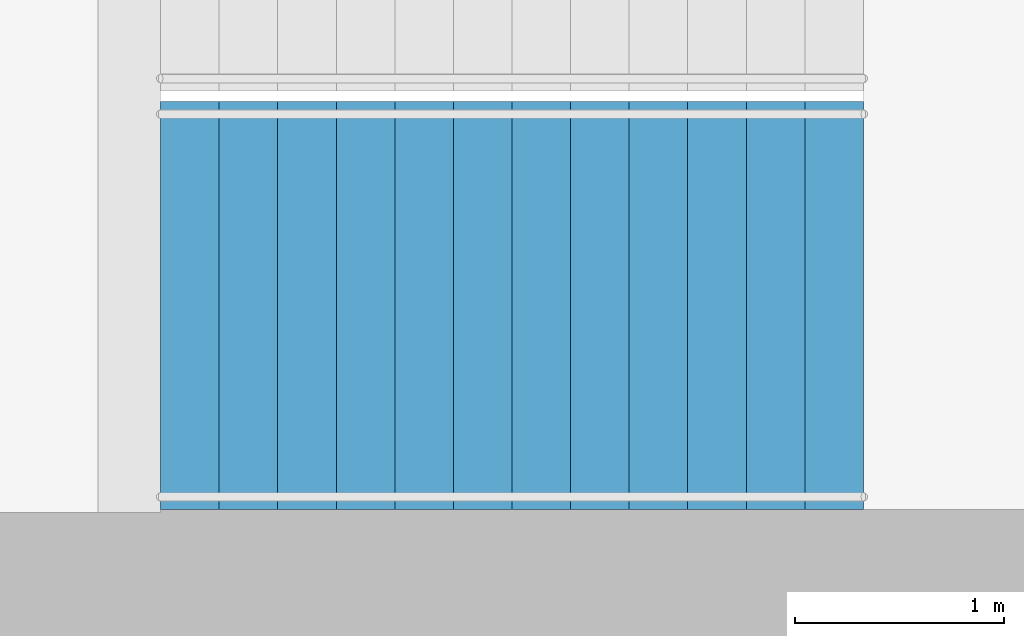
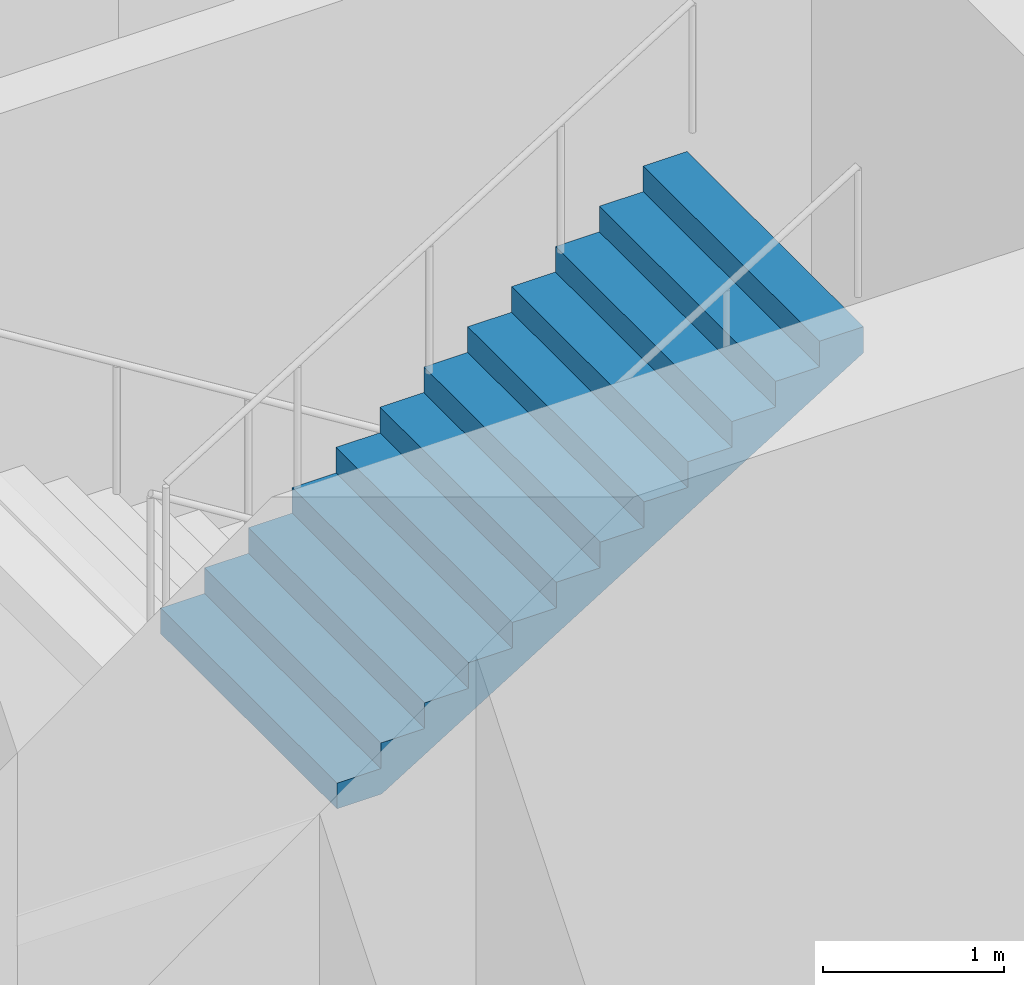
# One storey, part 10 of 16: 1 stair flight, 1 element without a shape of its own.
"""IFC4 building model written with IfcOpenShell, lengths in metres."""

from ifc_helpers import new_model, si_unit, direction, frame, origin, place, context, subcontext, project, spatial, triangles, material, type_object, element, aggregate, save


model = new_model("IFC4")

# Units and contexts
model_context = context("Model", 3, precision=1e-05, world=origin(), true_north=direction((0.0, 1.0)))
body_context = subcontext(model_context, "Body", "Model", "MODEL_VIEW")
ifc_project = project(units=[si_unit("LENGTHUNIT", "METRE"), si_unit("AREAUNIT", "SQUARE_METRE"), si_unit("VOLUMEUNIT", "CUBIC_METRE"), si_unit("PLANEANGLEUNIT", "RADIAN"), si_unit("MASSUNIT", "GRAM", prefix="KILO")], contexts=[model_context])

# Site, building, storey
site_placement = place(None, origin())
site = spatial("IfcSite", under=ifc_project, at=site_placement, CompositionType="ELEMENT")
building_placement = place(site_placement, origin())
building = spatial("IfcBuilding", under=site, at=building_placement, Name="Orbita Commons", CompositionType="ELEMENT")
storey_placement = place(building_placement, frame((0.0, 0.0, -4.5)))
storey = spatial("IfcBuildingStorey", under=building, at=storey_placement, Name="L-01", CompositionType="ELEMENT", Elevation=-4.5)

# Stair, stair flight
ifc_material_1 = material(Name="Precast concrete C40/50", Category="concrete")
stair_type = type_object("IfcStairType", Name="Exit stair S2 2 flights 13 risers 173", PredefinedType="HALF_TURN_STAIR", material=ifc_material_1)
stair_placement = place(storey_placement, origin())
stair = element("IfcStair", 1, at=stair_placement, inside=storey, type_object=stair_type, Name="Exit stair S2 L-01", PredefinedType="HALF_TURN_STAIR")
ifc_material_2 = material(Name="Precast concrete C40/50", Category="concrete")
stair_flight_type = type_object("IfcStairFlightType", Name="Stair flight 13 risers 173 x 280", PredefinedType="STRAIGHT", material=ifc_material_2)
stair_flight_placement = place(storey_placement, frame((60.18994140625, 27.27490234375, 2.25), z_axis=(0.0, 0.0, 1.0), x_axis=(1.0, 0.0, 0.0)))
stair_flight = element("IfcStairFlight", 2, at=stair_flight_placement, type_object=stair_flight_type, Name="S2 flight 2", NumberOfRisers=13, NumberOfTreads=12, PredefinedType="STRAIGHT", RiserHeight=0.173076923, TreadLength=0.28, context=body_context, shape_type="Tessellation", body=[
    triangles([(0.0, 0.974976, 0.0), (0.0, 0.974976, 0.021635), (0.0, 0.81248, 0.021635), (0.0, 0.81248, 0.0), (0.0, 0.649984, 0.021635), (0.0, 0.649984, 0.0), (0.0, 0.487488, 0.021635), (0.0, 0.487488, 0.0), (0.0, 0.324992, 0.021635), (0.0, 0.324992, 0.0), (0.0, 0.162496, 0.021635), (0.0, 0.162496, 0.0), (0.0, 0.0, 0.021635), (0.0, 0.0, 0.0), (0.0, -0.162496, 0.021635), (0.0, -0.162496, 0.0), (0.0, -0.324992, 0.021635), (0.0, -0.324992, 0.0), (0.0, -0.487488, 0.021635), (0.0, -0.487488, 0.0), (0.0, -0.649984, 0.021635), (0.0, -0.649984, 0.0), (0.0, -0.81248, 0.021635), (0.0, -0.81248, 0.0), (0.0, -0.974976, 0.021635), (0.0, -0.974976, 0.0), (0.0, 0.974976, 0.043269), (0.0, 0.81248, 0.043269), (0.0, 0.649984, 0.043269), (0.0, 0.487488, 0.043269), (0.0, 0.324992, 0.043269), (0.0, 0.162496, 0.043269), (0.0, 0.0, 0.043269), (0.0, -0.162496, 0.043269), (0.0, -0.324992, 0.043269), (0.0, -0.487488, 0.043269), (0.0, -0.649984, 0.043269), (0.0, -0.81248, 0.043269), (0.0, -0.974976, 0.043269), (0.0, 0.974976, 0.064904), (0.0, 0.81248, 0.064904), (0.0, 0.649984, 0.064904), (0.0, 0.487488, 0.064904), (0.0, 0.324992, 0.064904), (0.0, 0.162496, 0.064904), (0.0, 0.0, 0.064904), (0.0, -0.162496, 0.064904), (0.0, -0.324992, 0.064904), (0.0, -0.487488, 0.064904), (0.0, -0.649984, 0.064904), (0.0, -0.81248, 0.064904), (0.0, -0.974976, 0.064904), (0.0, 0.974976, 0.086538), (0.0, 0.81248, 0.086538), (0.0, 0.649984, 0.086538), (0.0, 0.487488, 0.086538), (0.0, 0.324992, 0.086538), (0.0, 0.162496, 0.086538), (0.0, 0.0, 0.086538), (0.0, -0.162496, 0.086538), (0.0, -0.324992, 0.086538), (0.0, -0.487488, 0.086538), (0.0, -0.649984, 0.086538), (0.0, -0.81248, 0.086538), (0.0, -0.974976, 0.086538), (0.0, 0.974976, 0.108173), (0.0, 0.81248, 0.108173), (0.0, 0.649984, 0.108173), (0.0, 0.487488, 0.108173), (0.0, 0.324992, 0.108173), (0.0, 0.162496, 0.108173), (0.0, 0.0, 0.108173), (0.0, -0.162496, 0.108173), (0.0, -0.324992, 0.108173), (0.0, -0.487488, 0.108173), (0.0, -0.649984, 0.108173), (0.0, -0.81248, 0.108173), (0.0, -0.974976, 0.108173), (0.0, 0.974976, 0.129808), (0.0, 0.81248, 0.129808), (0.0, 0.649984, 0.129808), (0.0, 0.487488, 0.129808), (0.0, 0.324992, 0.129808), (0.0, 0.162496, 0.129808), (0.0, 0.0, 0.129808), (0.0, -0.162496, 0.129808), (0.0, -0.324992, 0.129808), (0.0, -0.487488, 0.129808), (0.0, -0.649984, 0.129808), (0.0, -0.81248, 0.129808), (0.0, -0.974976, 0.129808), (0.0, 0.974976, 0.151442), (0.0, 0.81248, 0.151442), (0.0, 0.649984, 0.151442), (0.0, 0.487488, 0.151442), (0.0, 0.324992, 0.151442), (0.0, 0.162496, 0.151442), (0.0, 0.0, 0.151442), (0.0, -0.162496, 0.151442), (0.0, -0.324992, 0.151442), (0.0, -0.487488, 0.151442), (0.0, -0.649984, 0.151442), (0.0, -0.81248, 0.151442), (0.0, -0.974976, 0.151442), (0.0, 0.974976, 0.173077), (0.0, 0.81248, 0.173077), (0.0, 0.649984, 0.173077), (0.0, 0.487488, 0.173077), (0.0, 0.324992, 0.173077), (0.0, 0.162496, 0.173077), (0.0, 0.0, 0.173077), (0.0, -0.162496, 0.173077), (0.0, -0.324992, 0.173077), (0.0, -0.487488, 0.173077), (0.0, -0.649984, 0.173077), (0.0, -0.81248, 0.173077), (0.0, -0.974976, 0.173077), (0.28, 0.974976, 0.173077), (0.28, 0.81248, 0.173077), (0.28, 0.649984, 0.173077), (0.28, 0.487488, 0.173077), (0.28, 0.324992, 0.173077), (0.28, 0.162496, 0.173077), (0.28, 0.0, 0.173077), (0.28, -0.162496, 0.173077), (0.28, -0.324992, 0.173077), (0.28, -0.487488, 0.173077), (0.28, -0.649984, 0.173077), (0.28, -0.81248, 0.173077), (0.28, -0.974976, 0.173077), (0.28, 0.974976, 0.346154), (0.28, 0.81248, 0.346154), (0.28, 0.649984, 0.346154), (0.28, 0.487488, 0.346154), (0.28, 0.324992, 0.346154), (0.28, 0.162496, 0.346154), (0.28, 0.0, 0.346154), (0.28, -0.162496, 0.346154), (0.28, -0.324992, 0.346154), (0.28, -0.487488, 0.346154), (0.28, -0.649984, 0.346154), (0.28, -0.81248, 0.346154), (0.28, -0.974976, 0.346154), (0.56, 0.974976, 0.346154), (0.56, 0.81248, 0.346154), (0.56, 0.649984, 0.346154), (0.56, 0.487488, 0.346154), (0.56, 0.324992, 0.346154), (0.56, 0.162496, 0.346154), (0.56, 0.0, 0.346154), (0.56, -0.162496, 0.346154), (0.56, -0.324992, 0.346154), (0.56, -0.487488, 0.346154), (0.56, -0.649984, 0.346154), (0.56, -0.81248, 0.346154), (0.56, -0.974976, 0.346154), (0.56, 0.974976, 0.519231), (0.56, 0.81248, 0.519231), (0.56, 0.649984, 0.519231), (0.56, 0.487488, 0.519231), (0.56, 0.324992, 0.519231), (0.56, 0.162496, 0.519231), (0.56, 0.0, 0.519231), (0.56, -0.162496, 0.519231), (0.56, -0.324992, 0.519231), (0.56, -0.487488, 0.519231), (0.56, -0.649984, 0.519231), (0.56, -0.81248, 0.519231), (0.56, -0.974976, 0.519231), (0.84, 0.974976, 0.519231), (0.84, 0.81248, 0.519231), (0.84, 0.649984, 0.519231), (0.84, 0.487488, 0.519231), (0.84, 0.324992, 0.519231), (0.84, 0.162496, 0.519231), (0.84, 0.0, 0.519231), (0.84, -0.162496, 0.519231), (0.84, -0.324992, 0.519231), (0.84, -0.487488, 0.519231), (0.84, -0.649984, 0.519231), (0.84, -0.81248, 0.519231), (0.84, -0.974976, 0.519231), (0.84, 0.974976, 0.692308), (0.84, 0.81248, 0.692308), (0.84, 0.649984, 0.692308), (0.84, 0.487488, 0.692308), (0.84, 0.324992, 0.692308), (0.84, 0.162496, 0.692308), (0.84, 0.0, 0.692308), (0.84, -0.162496, 0.692308), (0.84, -0.324992, 0.692308), (0.84, -0.487488, 0.692308), (0.84, -0.649984, 0.692308), (0.84, -0.81248, 0.692308), (0.84, -0.974976, 0.692308), (1.12, 0.974976, 0.692308), (1.12, 0.81248, 0.692308), (1.12, 0.649984, 0.692308), (1.12, 0.487488, 0.692308), (1.12, 0.324992, 0.692308), (1.12, 0.162496, 0.692308), (1.12, 0.0, 0.692308), (1.12, -0.162496, 0.692308), (1.12, -0.324992, 0.692308), (1.12, -0.487488, 0.692308), (1.12, -0.649984, 0.692308), (1.12, -0.81248, 0.692308), (1.12, -0.974976, 0.692308), (1.12, 0.974976, 0.865385), (1.12, 0.81248, 0.865385), (1.12, 0.649984, 0.865385), (1.12, 0.487488, 0.865385), (1.12, 0.324992, 0.865385), (1.12, 0.162496, 0.865385), (1.12, 0.0, 0.865385), (1.12, -0.162496, 0.865385), (1.12, -0.324992, 0.865385), (1.12, -0.487488, 0.865385), (1.12, -0.649984, 0.865385), (1.12, -0.81248, 0.865385), (1.12, -0.974976, 0.865385), (1.4, 0.974976, 0.865385), (1.4, 0.81248, 0.865385), (1.4, 0.649984, 0.865385), (1.4, 0.487488, 0.865385), (1.4, 0.324992, 0.865385), (1.4, 0.162496, 0.865385), (1.4, 0.0, 0.865385), (1.4, -0.162496, 0.865385), (1.4, -0.324992, 0.865385), (1.4, -0.487488, 0.865385), (1.4, -0.649984, 0.865385), (1.4, -0.81248, 0.865385), (1.4, -0.974976, 0.865385), (1.4, 0.974976, 1.038462), (1.4, 0.81248, 1.038462), (1.4, 0.649984, 1.038462), (1.4, 0.487488, 1.038462), (1.4, 0.324992, 1.038462), (1.4, 0.162496, 1.038462), (1.4, 0.0, 1.038462), (1.4, -0.162496, 1.038462), (1.4, -0.324992, 1.038462), (1.4, -0.487488, 1.038462), (1.4, -0.649984, 1.038462), (1.4, -0.81248, 1.038462), (1.4, -0.974976, 1.038462), (1.68, 0.974976, 1.038462), (1.68, 0.81248, 1.038462), (1.68, 0.649984, 1.038462), (1.68, 0.487488, 1.038462), (1.68, 0.324992, 1.038462), (1.68, 0.162496, 1.038462), (1.68, 0.0, 1.038462), (1.68, -0.162496, 1.038462), (1.68, -0.324992, 1.038462), (1.68, -0.487488, 1.038462), (1.68, -0.649984, 1.038462), (1.68, -0.81248, 1.038462), (1.68, -0.974976, 1.038462), (1.68, 0.974976, 1.211538), (1.68, 0.81248, 1.211538), (1.68, 0.649984, 1.211538), (1.68, 0.487488, 1.211538), (1.68, 0.324992, 1.211538), (1.68, 0.162496, 1.211538), (1.68, 0.0, 1.211538), (1.68, -0.162496, 1.211538), (1.68, -0.324992, 1.211538), (1.68, -0.487488, 1.211538), (1.68, -0.649984, 1.211538), (1.68, -0.81248, 1.211538), (1.68, -0.974976, 1.211538), (1.96, 0.974976, 1.211538), (1.96, 0.81248, 1.211538), (1.96, 0.649984, 1.211538), (1.96, 0.487488, 1.211538), (1.96, 0.324992, 1.211538), (1.96, 0.162496, 1.211538), (1.96, 0.0, 1.211538), (1.96, -0.162496, 1.211538), (1.96, -0.324992, 1.211538), (1.96, -0.487488, 1.211538), (1.96, -0.649984, 1.211538), (1.96, -0.81248, 1.211538), (1.96, -0.974976, 1.211538), (1.96, 0.974976, 1.384615), (1.96, 0.81248, 1.384615), (1.96, 0.649984, 1.384615), (1.96, 0.487488, 1.384615), (1.96, 0.324992, 1.384615), (1.96, 0.162496, 1.384615), (1.96, 0.0, 1.384615), (1.96, -0.162496, 1.384615), (1.96, -0.324992, 1.384615), (1.96, -0.487488, 1.384615), (1.96, -0.649984, 1.384615), (1.96, -0.81248, 1.384615), (1.96, -0.974976, 1.384615), (2.24, 0.974976, 1.384615), (2.24, 0.81248, 1.384615), (2.24, 0.649984, 1.384615), (2.24, 0.487488, 1.384615), (2.24, 0.324992, 1.384615), (2.24, 0.162496, 1.384615), (2.24, 0.0, 1.384615), (2.24, -0.162496, 1.384615), (2.24, -0.324992, 1.384615), (2.24, -0.487488, 1.384615), (2.24, -0.649984, 1.384615), (2.24, -0.81248, 1.384615), (2.24, -0.974976, 1.384615), (2.24, 0.974976, 1.557692), (2.24, 0.81248, 1.557692), (2.24, 0.649984, 1.557692), (2.24, 0.487488, 1.557692), (2.24, 0.324992, 1.557692), (2.24, 0.162496, 1.557692), (2.24, 0.0, 1.557692), (2.24, -0.162496, 1.557692), (2.24, -0.324992, 1.557692), (2.24, -0.487488, 1.557692), (2.24, -0.649984, 1.557692), (2.24, -0.81248, 1.557692), (2.24, -0.974976, 1.557692), (2.52, 0.974976, 1.557692), (2.52, 0.81248, 1.557692), (2.52, 0.649984, 1.557692), (2.52, 0.487488, 1.557692), (2.52, 0.324992, 1.557692), (2.52, 0.162496, 1.557692), (2.52, 0.0, 1.557692), (2.52, -0.162496, 1.557692), (2.52, -0.324992, 1.557692), (2.52, -0.487488, 1.557692), (2.52, -0.649984, 1.557692), (2.52, -0.81248, 1.557692), (2.52, -0.974976, 1.557692), (2.52, 0.974976, 1.730769), (2.52, 0.81248, 1.730769), (2.52, 0.649984, 1.730769), (2.52, 0.487488, 1.730769), (2.52, 0.324992, 1.730769), (2.52, 0.162496, 1.730769), (2.52, 0.0, 1.730769), (2.52, -0.162496, 1.730769), (2.52, -0.324992, 1.730769), (2.52, -0.487488, 1.730769), (2.52, -0.649984, 1.730769), (2.52, -0.81248, 1.730769), (2.52, -0.974976, 1.730769), (2.8, 0.974976, 1.730769), (2.8, 0.81248, 1.730769), (2.8, 0.649984, 1.730769), (2.8, 0.487488, 1.730769), (2.8, 0.324992, 1.730769), (2.8, 0.162496, 1.730769), (2.8, 0.0, 1.730769), (2.8, -0.162496, 1.730769), (2.8, -0.324992, 1.730769), (2.8, -0.487488, 1.730769), (2.8, -0.649984, 1.730769), (2.8, -0.81248, 1.730769), (2.8, -0.974976, 1.730769), (2.8, 0.974976, 1.903846), (2.8, 0.81248, 1.903846), (2.8, 0.649984, 1.903846), (2.8, 0.487488, 1.903846), (2.8, 0.324992, 1.903846), (2.8, 0.162496, 1.903846), (2.8, 0.0, 1.903846), (2.8, -0.162496, 1.903846), (2.8, -0.324992, 1.903846), (2.8, -0.487488, 1.903846), (2.8, -0.649984, 1.903846), (2.8, -0.81248, 1.903846), (2.8, -0.974976, 1.903846), (3.08, 0.974976, 1.903846), (3.08, 0.81248, 1.903846), (3.08, 0.649984, 1.903846), (3.08, 0.487488, 1.903846), (3.08, 0.324992, 1.903846), (3.08, 0.162496, 1.903846), (3.08, 0.0, 1.903846), (3.08, -0.162496, 1.903846), (3.08, -0.324992, 1.903846), (3.08, -0.487488, 1.903846), (3.08, -0.649984, 1.903846), (3.08, -0.81248, 1.903846), (3.08, -0.974976, 1.903846), (3.08, 0.974976, 2.076923), (3.08, 0.81248, 2.076923), (3.08, 0.649984, 2.076923), (3.08, 0.487488, 2.076923), (3.08, 0.324992, 2.076923), (3.08, 0.162496, 2.076923), (3.08, 0.0, 2.076923), (3.08, -0.162496, 2.076923), (3.08, -0.324992, 2.076923), (3.08, -0.487488, 2.076923), (3.08, -0.649984, 2.076923), (3.08, -0.81248, 2.076923), (3.08, -0.974976, 2.076923), (3.36, 0.974976, 2.076923), (3.36, 0.81248, 2.076923), (3.36, 0.649984, 2.076923), (3.36, 0.487488, 2.076923), (3.36, 0.324992, 2.076923), (3.36, 0.162496, 2.076923), (3.36, 0.0, 2.076923), (3.36, -0.162496, 2.076923), (3.36, -0.324992, 2.076923), (3.36, -0.487488, 2.076923), (3.36, -0.649984, 2.076923), (3.36, -0.81248, 2.076923), (3.36, -0.974976, 2.076923), (3.36, 0.974976, 2.054895), (3.36, 0.81248, 2.054895), (3.36, 0.649984, 2.054895), (3.36, 0.487488, 2.054895), (3.36, 0.324992, 2.054895), (3.36, 0.162496, 2.054895), (3.36, 0.0, 2.054895), (3.36, -0.162496, 2.054895), (3.36, -0.324992, 2.054895), (3.36, -0.487488, 2.054895), (3.36, -0.649984, 2.054895), (3.36, -0.81248, 2.054895), (3.36, -0.974976, 2.054895), (3.36, 0.974976, 2.032866), (3.36, 0.81248, 2.032866), (3.36, 0.649984, 2.032866), (3.36, 0.487488, 2.032866), (3.36, 0.324992, 2.032866), (3.36, 0.162496, 2.032866), (3.36, 0.0, 2.032866), (3.36, -0.162496, 2.032866), (3.36, -0.324992, 2.032866), (3.36, -0.487488, 2.032866), (3.36, -0.649984, 2.032866), (3.36, -0.81248, 2.032866), (3.36, -0.974976, 2.032866), (3.36, 0.974976, 2.010837), (3.36, 0.81248, 2.010837), (3.36, 0.649984, 2.010837), (3.36, 0.487488, 2.010837), (3.36, 0.324992, 2.010837), (3.36, 0.162496, 2.010837), (3.36, 0.0, 2.010837), (3.36, -0.162496, 2.010837), (3.36, -0.324992, 2.010837), (3.36, -0.487488, 2.010837), (3.36, -0.649984, 2.010837), (3.36, -0.81248, 2.010837), (3.36, -0.974976, 2.010837), (3.36, 0.974976, 1.988809), (3.36, 0.81248, 1.988809), (3.36, 0.649984, 1.988809), (3.36, 0.487488, 1.988809), (3.36, 0.324992, 1.988809), (3.36, 0.162496, 1.988809), (3.36, 0.0, 1.988809), (3.36, -0.162496, 1.988809), (3.36, -0.324992, 1.988809), (3.36, -0.487488, 1.988809), (3.36, -0.649984, 1.988809), (3.36, -0.81248, 1.988809), (3.36, -0.974976, 1.988809), (3.36, 0.974976, 1.96678), (3.36, 0.81248, 1.96678), (3.36, 0.649984, 1.96678), (3.36, 0.487488, 1.96678), (3.36, 0.324992, 1.96678), (3.36, 0.162496, 1.96678), (3.36, 0.0, 1.96678), (3.36, -0.162496, 1.96678), (3.36, -0.324992, 1.96678), (3.36, -0.487488, 1.96678), (3.36, -0.649984, 1.96678), (3.36, -0.81248, 1.96678), (3.36, -0.974976, 1.96678), (3.36, 0.974976, 1.944752), (3.36, 0.81248, 1.944752), (3.36, 0.649984, 1.944752), (3.36, 0.487488, 1.944752), (3.36, 0.324992, 1.944752), (3.36, 0.162496, 1.944752), (3.36, 0.0, 1.944752), (3.36, -0.162496, 1.944752), (3.36, -0.324992, 1.944752), (3.36, -0.487488, 1.944752), (3.36, -0.649984, 1.944752), (3.36, -0.81248, 1.944752), (3.36, -0.974976, 1.944752), (3.36, 0.974976, 1.922723), (3.36, 0.81248, 1.922723), (3.36, 0.649984, 1.922723), (3.36, 0.487488, 1.922723), (3.36, 0.324992, 1.922723), (3.36, 0.162496, 1.922723), (3.36, 0.0, 1.922723), (3.36, -0.162496, 1.922723), (3.36, -0.324992, 1.922723), (3.36, -0.487488, 1.922723), (3.36, -0.649984, 1.922723), (3.36, -0.81248, 1.922723), (3.36, -0.974976, 1.922723), (3.36, 0.974976, 1.900695), (3.36, 0.81248, 1.900695), (3.36, 0.649984, 1.900695), (3.36, 0.487488, 1.900695), (3.36, 0.324992, 1.900695), (3.36, 0.162496, 1.900695), (3.36, 0.0, 1.900695), (3.36, -0.162496, 1.900695), (3.36, -0.324992, 1.900695), (3.36, -0.487488, 1.900695), (3.36, -0.649984, 1.900695), (3.36, -0.81248, 1.900695), (3.36, -0.974976, 1.900695), (0.285099, 0.974976, 0.0), (0.285099, 0.81248, 0.0), (0.285099, 0.649984, 0.0), (0.285099, 0.487488, 0.0), (0.285099, 0.324992, 0.0), (0.285099, 0.162496, 0.0), (0.285099, 0.0, 0.0), (0.285099, -0.162496, 0.0), (0.285099, -0.324992, 0.0), (0.285099, -0.487488, 0.0), (0.285099, -0.649984, 0.0), (0.285099, -0.81248, 0.0), (0.285099, -0.974976, 0.0)], [[3, 2, 1], [4, 3, 1], [5, 3, 4], [6, 5, 4], [7, 5, 6], [8, 7, 6], [9, 7, 8], [10, 9, 8], [11, 9, 10], [12, 11, 10], [13, 11, 12], [14, 13, 12], [15, 13, 14], [16, 15, 14], [17, 15, 16], [18, 17, 16], [19, 17, 18], [20, 19, 18], [21, 19, 20], [22, 21, 20], [23, 21, 22], [24, 23, 22], [25, 23, 24], [26, 25, 24], [28, 27, 2], [3, 28, 2], [29, 28, 3], [5, 29, 3], [30, 29, 5], [7, 30, 5], [31, 30, 7], [9, 31, 7], [32, 31, 9], [11, 32, 9], [33, 32, 11], [13, 33, 11], [34, 33, 13], [15, 34, 13], [35, 34, 15], [17, 35, 15], [36, 35, 17], [19, 36, 17], [37, 36, 19], [21, 37, 19], [38, 37, 21], [23, 38, 21], [39, 38, 23], [25, 39, 23], [41, 40, 27], [28, 41, 27], [42, 41, 28], [29, 42, 28], [43, 42, 29], [30, 43, 29], [44, 43, 30], [31, 44, 30], [45, 44, 31], [32, 45, 31], [46, 45, 32], [33, 46, 32], [47, 46, 33], [34, 47, 33], [48, 47, 34], [35, 48, 34], [49, 48, 35], [36, 49, 35], [50, 49, 36], [37, 50, 36], [51, 50, 37], [38, 51, 37], [52, 51, 38], [39, 52, 38], [54, 53, 40], [41, 54, 40], [55, 54, 41], [42, 55, 41], [56, 55, 42], [43, 56, 42], [57, 56, 43], [44, 57, 43], [58, 57, 44], [45, 58, 44], [59, 58, 45], [46, 59, 45], [60, 59, 46], [47, 60, 46], [61, 60, 47], [48, 61, 47], [62, 61, 48], [49, 62, 48], [63, 62, 49], [50, 63, 49], [64, 63, 50], [51, 64, 50], [65, 64, 51], [52, 65, 51], [67, 66, 53], [54, 67, 53], [68, 67, 54], [55, 68, 54], [69, 68, 55], [56, 69, 55], [70, 69, 56], [57, 70, 56], [71, 70, 57], [58, 71, 57], [72, 71, 58], [59, 72, 58], [73, 72, 59], [60, 73, 59], [74, 73, 60], [61, 74, 60], [75, 74, 61], [62, 75, 61], [76, 75, 62], [63, 76, 62], [77, 76, 63], [64, 77, 63], [78, 77, 64], [65, 78, 64], [80, 79, 66], [67, 80, 66], [81, 80, 67], [68, 81, 67], [82, 81, 68], [69, 82, 68], [83, 82, 69], [70, 83, 69], [84, 83, 70], [71, 84, 70], [85, 84, 71], [72, 85, 71], [86, 85, 72], [73, 86, 72], [87, 86, 73], [74, 87, 73], [88, 87, 74], [75, 88, 74], [89, 88, 75], [76, 89, 75], [90, 89, 76], [77, 90, 76], [91, 90, 77], [78, 91, 77], [93, 92, 79], [80, 93, 79], [94, 93, 80], [81, 94, 80], [95, 94, 81], [82, 95, 81], [96, 95, 82], [83, 96, 82], [97, 96, 83], [84, 97, 83], [98, 97, 84], [85, 98, 84], [99, 98, 85], [86, 99, 85], [100, 99, 86], [87, 100, 86], [101, 100, 87], [88, 101, 87], [102, 101, 88], [89, 102, 88], [103, 102, 89], [90, 103, 89], [104, 103, 90], [91, 104, 90], [106, 105, 92], [93, 106, 92], [107, 106, 93], [94, 107, 93], [108, 107, 94], [95, 108, 94], [109, 108, 95], [96, 109, 95], [110, 109, 96], [97, 110, 96], [111, 110, 97], [98, 111, 97], [112, 111, 98], [99, 112, 98], [113, 112, 99], [100, 113, 99], [114, 113, 100], [101, 114, 100], [115, 114, 101], [102, 115, 101], [116, 115, 102], [103, 116, 102], [117, 116, 103], [104, 117, 103], [119, 118, 105], [106, 119, 105], [120, 119, 106], [107, 120, 106], [121, 120, 107], [108, 121, 107], [122, 121, 108], [109, 122, 108], [123, 122, 109], [110, 123, 109], [124, 123, 110], [111, 124, 110], [125, 124, 111], [112, 125, 111], [126, 125, 112], [113, 126, 112], [127, 126, 113], [114, 127, 113], [128, 127, 114], [115, 128, 114], [129, 128, 115], [116, 129, 115], [130, 129, 116], [117, 130, 116], [132, 131, 118], [119, 132, 118], [133, 132, 119], [120, 133, 119], [134, 133, 120], [121, 134, 120], [135, 134, 121], [122, 135, 121], [136, 135, 122], [123, 136, 122], [137, 136, 123], [124, 137, 123], [138, 137, 124], [125, 138, 124], [139, 138, 125], [126, 139, 125], [140, 139, 126], [127, 140, 126], [141, 140, 127], [128, 141, 127], [142, 141, 128], [129, 142, 128], [143, 142, 129], [130, 143, 129], [145, 144, 131], [132, 145, 131], [146, 145, 132], [133, 146, 132], [147, 146, 133], [134, 147, 133], [148, 147, 134], [135, 148, 134], [149, 148, 135], [136, 149, 135], [150, 149, 136], [137, 150, 136], [151, 150, 137], [138, 151, 137], [152, 151, 138], [139, 152, 138], [153, 152, 139], [140, 153, 139], [154, 153, 140], [141, 154, 140], [155, 154, 141], [142, 155, 141], [156, 155, 142], [143, 156, 142], [158, 157, 144], [145, 158, 144], [159, 158, 145], [146, 159, 145], [160, 159, 146], [147, 160, 146], [161, 160, 147], [148, 161, 147], [162, 161, 148], [149, 162, 148], [163, 162, 149], [150, 163, 149], [164, 163, 150], [151, 164, 150], [165, 164, 151], [152, 165, 151], [166, 165, 152], [153, 166, 152], [167, 166, 153], [154, 167, 153], [168, 167, 154], [155, 168, 154], [169, 168, 155], [156, 169, 155], [171, 170, 157], [158, 171, 157], [172, 171, 158], [159, 172, 158], [173, 172, 159], [160, 173, 159], [174, 173, 160], [161, 174, 160], [175, 174, 161], [162, 175, 161], [176, 175, 162], [163, 176, 162], [177, 176, 163], [164, 177, 163], [178, 177, 164], [165, 178, 164], [179, 178, 165], [166, 179, 165], [180, 179, 166], [167, 180, 166], [181, 180, 167], [168, 181, 167], [182, 181, 168], [169, 182, 168], [184, 183, 170], [171, 184, 170], [185, 184, 171], [172, 185, 171], [186, 185, 172], [173, 186, 172], [187, 186, 173], [174, 187, 173], [188, 187, 174], [175, 188, 174], [189, 188, 175], [176, 189, 175], [190, 189, 176], [177, 190, 176], [191, 190, 177], [178, 191, 177], [192, 191, 178], [179, 192, 178], [193, 192, 179], [180, 193, 179], [194, 193, 180], [181, 194, 180], [195, 194, 181], [182, 195, 181], [197, 196, 183], [184, 197, 183], [198, 197, 184], [185, 198, 184], [199, 198, 185], [186, 199, 185], [200, 199, 186], [187, 200, 186], [201, 200, 187], [188, 201, 187], [202, 201, 188], [189, 202, 188], [203, 202, 189], [190, 203, 189], [204, 203, 190], [191, 204, 190], [205, 204, 191], [192, 205, 191], [206, 205, 192], [193, 206, 192], [207, 206, 193], [194, 207, 193], [208, 207, 194], [195, 208, 194], [210, 209, 196], [197, 210, 196], [211, 210, 197], [198, 211, 197], [212, 211, 198], [199, 212, 198], [213, 212, 199], [200, 213, 199], [214, 213, 200], [201, 214, 200], [215, 214, 201], [202, 215, 201], [216, 215, 202], [203, 216, 202], [217, 216, 203], [204, 217, 203], [218, 217, 204], [205, 218, 204], [219, 218, 205], [206, 219, 205], [220, 219, 206], [207, 220, 206], [221, 220, 207], [208, 221, 207], [223, 222, 209], [210, 223, 209], [224, 223, 210], [211, 224, 210], [225, 224, 211], [212, 225, 211], [226, 225, 212], [213, 226, 212], [227, 226, 213], [214, 227, 213], [228, 227, 214], [215, 228, 214], [229, 228, 215], [216, 229, 215], [230, 229, 216], [217, 230, 216], [231, 230, 217], [218, 231, 217], [232, 231, 218], [219, 232, 218], [233, 232, 219], [220, 233, 219], [234, 233, 220], [221, 234, 220], [236, 235, 222], [223, 236, 222], [237, 236, 223], [224, 237, 223], [238, 237, 224], [225, 238, 224], [239, 238, 225], [226, 239, 225], [240, 239, 226], [227, 240, 226], [241, 240, 227], [228, 241, 227], [242, 241, 228], [229, 242, 228], [243, 242, 229], [230, 243, 229], [244, 243, 230], [231, 244, 230], [245, 244, 231], [232, 245, 231], [246, 245, 232], [233, 246, 232], [247, 246, 233], [234, 247, 233], [249, 248, 235], [236, 249, 235], [250, 249, 236], [237, 250, 236], [251, 250, 237], [238, 251, 237], [252, 251, 238], [239, 252, 238], [253, 252, 239], [240, 253, 239], [254, 253, 240], [241, 254, 240], [255, 254, 241], [242, 255, 241], [256, 255, 242], [243, 256, 242], [257, 256, 243], [244, 257, 243], [258, 257, 244], [245, 258, 244], [259, 258, 245], [246, 259, 245], [260, 259, 246], [247, 260, 246], [262, 261, 248], [249, 262, 248], [263, 262, 249], [250, 263, 249], [264, 263, 250], [251, 264, 250], [265, 264, 251], [252, 265, 251], [266, 265, 252], [253, 266, 252], [267, 266, 253], [254, 267, 253], [268, 267, 254], [255, 268, 254], [269, 268, 255], [256, 269, 255], [270, 269, 256], [257, 270, 256], [271, 270, 257], [258, 271, 257], [272, 271, 258], [259, 272, 258], [273, 272, 259], [260, 273, 259], [275, 274, 261], [262, 275, 261], [276, 275, 262], [263, 276, 262], [277, 276, 263], [264, 277, 263], [278, 277, 264], [265, 278, 264], [279, 278, 265], [266, 279, 265], [280, 279, 266], [267, 280, 266], [281, 280, 267], [268, 281, 267], [282, 281, 268], [269, 282, 268], [283, 282, 269], [270, 283, 269], [284, 283, 270], [271, 284, 270], [285, 284, 271], [272, 285, 271], [286, 285, 272], [273, 286, 272], [288, 287, 274], [275, 288, 274], [289, 288, 275], [276, 289, 275], [290, 289, 276], [277, 290, 276], [291, 290, 277], [278, 291, 277], [292, 291, 278], [279, 292, 278], [293, 292, 279], [280, 293, 279], [294, 293, 280], [281, 294, 280], [295, 294, 281], [282, 295, 281], [296, 295, 282], [283, 296, 282], [297, 296, 283], [284, 297, 283], [298, 297, 284], [285, 298, 284], [299, 298, 285], [286, 299, 285], [301, 300, 287], [288, 301, 287], [302, 301, 288], [289, 302, 288], [303, 302, 289], [290, 303, 289], [304, 303, 290], [291, 304, 290], [305, 304, 291], [292, 305, 291], [306, 305, 292], [293, 306, 292], [307, 306, 293], [294, 307, 293], [308, 307, 294], [295, 308, 294], [309, 308, 295], [296, 309, 295], [310, 309, 296], [297, 310, 296], [311, 310, 297], [298, 311, 297], [312, 311, 298], [299, 312, 298], [314, 313, 300], [301, 314, 300], [315, 314, 301], [302, 315, 301], [316, 315, 302], [303, 316, 302], [317, 316, 303], [304, 317, 303], [318, 317, 304], [305, 318, 304], [319, 318, 305], [306, 319, 305], [320, 319, 306], [307, 320, 306], [321, 320, 307], [308, 321, 307], [322, 321, 308], [309, 322, 308], [323, 322, 309], [310, 323, 309], [324, 323, 310], [311, 324, 310], [325, 324, 311], [312, 325, 311], [327, 326, 313], [314, 327, 313], [328, 327, 314], [315, 328, 314], [329, 328, 315], [316, 329, 315], [330, 329, 316], [317, 330, 316], [331, 330, 317], [318, 331, 317], [332, 331, 318], [319, 332, 318], [333, 332, 319], [320, 333, 319], [334, 333, 320], [321, 334, 320], [335, 334, 321], [322, 335, 321], [336, 335, 322], [323, 336, 322], [337, 336, 323], [324, 337, 323], [338, 337, 324], [325, 338, 324], [340, 339, 326], [327, 340, 326], [341, 340, 327], [328, 341, 327], [342, 341, 328], [329, 342, 328], [343, 342, 329], [330, 343, 329], [344, 343, 330], [331, 344, 330], [345, 344, 331], [332, 345, 331], [346, 345, 332], [333, 346, 332], [347, 346, 333], [334, 347, 333], [348, 347, 334], [335, 348, 334], [349, 348, 335], [336, 349, 335], [350, 349, 336], [337, 350, 336], [351, 350, 337], [338, 351, 337], [353, 352, 339], [340, 353, 339], [354, 353, 340], [341, 354, 340], [355, 354, 341], [342, 355, 341], [356, 355, 342], [343, 356, 342], [357, 356, 343], [344, 357, 343], [358, 357, 344], [345, 358, 344], [359, 358, 345], [346, 359, 345], [360, 359, 346], [347, 360, 346], [361, 360, 347], [348, 361, 347], [362, 361, 348], [349, 362, 348], [363, 362, 349], [350, 363, 349], [364, 363, 350], [351, 364, 350], [366, 365, 352], [353, 366, 352], [367, 366, 353], [354, 367, 353], [368, 367, 354], [355, 368, 354], [369, 368, 355], [356, 369, 355], [370, 369, 356], [357, 370, 356], [371, 370, 357], [358, 371, 357], [372, 371, 358], [359, 372, 358], [373, 372, 359], [360, 373, 359], [374, 373, 360], [361, 374, 360], [375, 374, 361], [362, 375, 361], [376, 375, 362], [363, 376, 362], [377, 376, 363], [364, 377, 363], [379, 378, 365], [366, 379, 365], [380, 379, 366], [367, 380, 366], [381, 380, 367], [368, 381, 367], [382, 381, 368], [369, 382, 368], [383, 382, 369], [370, 383, 369], [384, 383, 370], [371, 384, 370], [385, 384, 371], [372, 385, 371], [386, 385, 372], [373, 386, 372], [387, 386, 373], [374, 387, 373], [388, 387, 374], [375, 388, 374], [389, 388, 375], [376, 389, 375], [390, 389, 376], [377, 390, 376], [392, 391, 378], [379, 392, 378], [393, 392, 379], [380, 393, 379], [394, 393, 380], [381, 394, 380], [395, 394, 381], [382, 395, 381], [396, 395, 382], [383, 396, 382], [397, 396, 383], [384, 397, 383], [398, 397, 384], [385, 398, 384], [399, 398, 385], [386, 399, 385], [400, 399, 386], [387, 400, 386], [401, 400, 387], [388, 401, 387], [402, 401, 388], [389, 402, 388], [403, 402, 389], [390, 403, 389], [405, 404, 391], [392, 405, 391], [406, 405, 392], [393, 406, 392], [407, 406, 393], [394, 407, 393], [408, 407, 394], [395, 408, 394], [409, 408, 395], [396, 409, 395], [410, 409, 396], [397, 410, 396], [411, 410, 397], [398, 411, 397], [412, 411, 398], [399, 412, 398], [413, 412, 399], [400, 413, 399], [414, 413, 400], [401, 414, 400], [415, 414, 401], [402, 415, 401], [416, 415, 402], [403, 416, 402], [418, 417, 404], [405, 418, 404], [419, 418, 405], [406, 419, 405], [420, 419, 406], [407, 420, 406], [421, 420, 407], [408, 421, 407], [422, 421, 408], [409, 422, 408], [423, 422, 409], [410, 423, 409], [424, 423, 410], [411, 424, 410], [425, 424, 411], [412, 425, 411], [426, 425, 412], [413, 426, 412], [427, 426, 413], [414, 427, 413], [428, 427, 414], [415, 428, 414], [429, 428, 415], [416, 429, 415], [431, 430, 417], [418, 431, 417], [432, 431, 418], [419, 432, 418], [433, 432, 419], [420, 433, 419], [434, 433, 420], [421, 434, 420], [435, 434, 421], [422, 435, 421], [436, 435, 422], [423, 436, 422], [437, 436, 423], [424, 437, 423], [438, 437, 424], [425, 438, 424], [439, 438, 425], [426, 439, 425], [440, 439, 426], [427, 440, 426], [441, 440, 427], [428, 441, 427], [442, 441, 428], [429, 442, 428], [444, 443, 430], [431, 444, 430], [445, 444, 431], [432, 445, 431], [446, 445, 432], [433, 446, 432], [447, 446, 433], [434, 447, 433], [448, 447, 434], [435, 448, 434], [449, 448, 435], [436, 449, 435], [450, 449, 436], [437, 450, 436], [451, 450, 437], [438, 451, 437], [452, 451, 438], [439, 452, 438], [453, 452, 439], [440, 453, 439], [454, 453, 440], [441, 454, 440], [455, 454, 441], [442, 455, 441], [457, 456, 443], [444, 457, 443], [458, 457, 444], [445, 458, 444], [459, 458, 445], [446, 459, 445], [460, 459, 446], [447, 460, 446], [461, 460, 447], [448, 461, 447], [462, 461, 448], [449, 462, 448], [463, 462, 449], [450, 463, 449], [464, 463, 450], [451, 464, 450], [465, 464, 451], [452, 465, 451], [466, 465, 452], [453, 466, 452], [467, 466, 453], [454, 467, 453], [468, 467, 454], [455, 468, 454], [470, 469, 456], [457, 470, 456], [471, 470, 457], [458, 471, 457], [472, 471, 458], [459, 472, 458], [473, 472, 459], [460, 473, 459], [474, 473, 460], [461, 474, 460], [475, 474, 461], [462, 475, 461], [476, 475, 462], [463, 476, 462], [477, 476, 463], [464, 477, 463], [478, 477, 464], [465, 478, 464], [479, 478, 465], [466, 479, 465], [480, 479, 466], [467, 480, 466], [481, 480, 467], [468, 481, 467], [483, 482, 469], [470, 483, 469], [484, 483, 470], [471, 484, 470], [485, 484, 471], [472, 485, 471], [486, 485, 472], [473, 486, 472], [487, 486, 473], [474, 487, 473], [488, 487, 474], [475, 488, 474], [489, 488, 475], [476, 489, 475], [490, 489, 476], [477, 490, 476], [491, 490, 477], [478, 491, 477], [492, 491, 478], [479, 492, 478], [493, 492, 479], [480, 493, 479], [494, 493, 480], [481, 494, 480], [496, 495, 482], [483, 496, 482], [497, 496, 483], [484, 497, 483], [498, 497, 484], [485, 498, 484], [499, 498, 485], [486, 499, 485], [500, 499, 486], [487, 500, 486], [501, 500, 487], [488, 501, 487], [502, 501, 488], [489, 502, 488], [503, 502, 489], [490, 503, 489], [504, 503, 490], [491, 504, 490], [505, 504, 491], [492, 505, 491], [506, 505, 492], [493, 506, 492], [507, 506, 493], [494, 507, 493], [509, 508, 495], [496, 509, 495], [510, 509, 496], [497, 510, 496], [511, 510, 497], [498, 511, 497], [512, 511, 498], [499, 512, 498], [513, 512, 499], [500, 513, 499], [514, 513, 500], [501, 514, 500], [515, 514, 501], [502, 515, 501], [516, 515, 502], [503, 516, 502], [517, 516, 503], [504, 517, 503], [518, 517, 504], [505, 518, 504], [519, 518, 505], [506, 519, 505], [520, 519, 506], [507, 520, 506], [522, 521, 508], [509, 522, 508], [523, 522, 509], [510, 523, 509], [524, 523, 510], [511, 524, 510], [525, 524, 511], [512, 525, 511], [526, 525, 512], [513, 526, 512], [527, 526, 513], [514, 527, 513], [528, 527, 514], [515, 528, 514], [529, 528, 515], [516, 529, 515], [530, 529, 516], [517, 530, 516], [531, 530, 517], [518, 531, 517], [532, 531, 518], [519, 532, 518], [533, 532, 519], [520, 533, 519], [4, 1, 521], [522, 4, 521], [6, 4, 522], [523, 6, 522], [8, 6, 523], [524, 8, 523], [10, 8, 524], [525, 10, 524], [12, 10, 525], [526, 12, 525], [14, 12, 526], [527, 14, 526], [16, 14, 527], [528, 16, 527], [18, 16, 528], [529, 18, 528], [20, 18, 529], [530, 20, 529], [22, 20, 530], [531, 22, 530], [24, 22, 531], [532, 24, 531], [26, 24, 532], [533, 26, 532], [508, 521, 1], [26, 533, 520], [495, 508, 1], [26, 520, 507], [482, 495, 1], [26, 507, 494], [469, 482, 1], [26, 494, 481], [456, 469, 1], [26, 481, 468], [443, 456, 1], [26, 468, 455], [430, 443, 1], [26, 455, 442], [417, 430, 1], [26, 442, 429], [391, 404, 417], [429, 416, 403], [378, 391, 417], [429, 403, 390], [352, 365, 378], [390, 377, 364], [352, 378, 417], [429, 390, 364], [326, 339, 352], [364, 351, 338], [326, 352, 417], [429, 364, 338], [300, 313, 326], [338, 325, 312], [300, 326, 417], [429, 338, 312], [274, 287, 300], [312, 299, 286], [274, 300, 417], [429, 312, 286], [248, 261, 274], [286, 273, 260], [248, 274, 417], [429, 286, 260], [222, 235, 248], [260, 247, 234], [222, 248, 417], [429, 260, 234], [196, 209, 222], [234, 221, 208], [196, 222, 417], [429, 234, 208], [170, 183, 196], [208, 195, 182], [170, 196, 417], [429, 208, 182], [144, 157, 170], [182, 169, 156], [144, 170, 417], [429, 182, 156], [118, 131, 144], [156, 143, 130], [118, 144, 417], [429, 156, 130], [118, 417, 1], [26, 429, 130], [92, 105, 118], [130, 117, 104], [79, 92, 118], [130, 104, 91], [66, 79, 118], [130, 91, 78], [53, 66, 118], [130, 78, 65], [40, 53, 118], [130, 65, 52], [27, 40, 118], [130, 52, 39], [2, 27, 118], [130, 39, 25], [1, 2, 118], [130, 25, 26]], closed=True),
])
aggregate(stair, [stair_flight])

save(model, "model.ifc")
